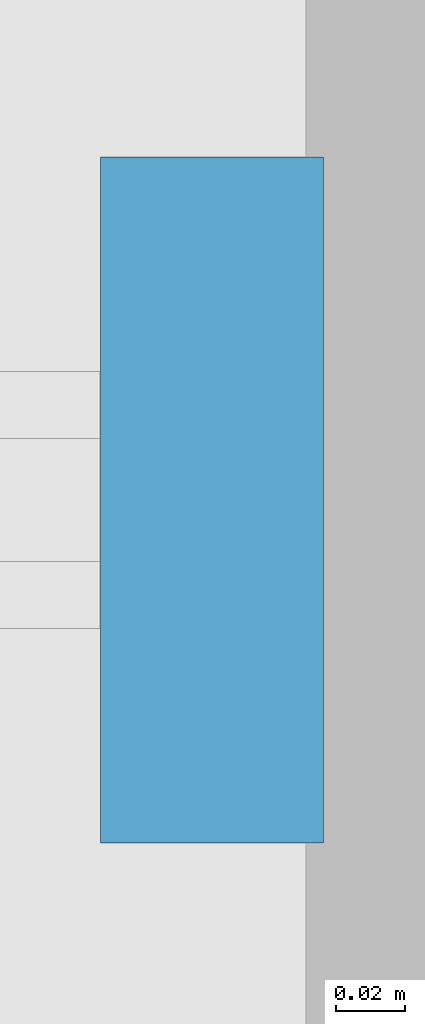
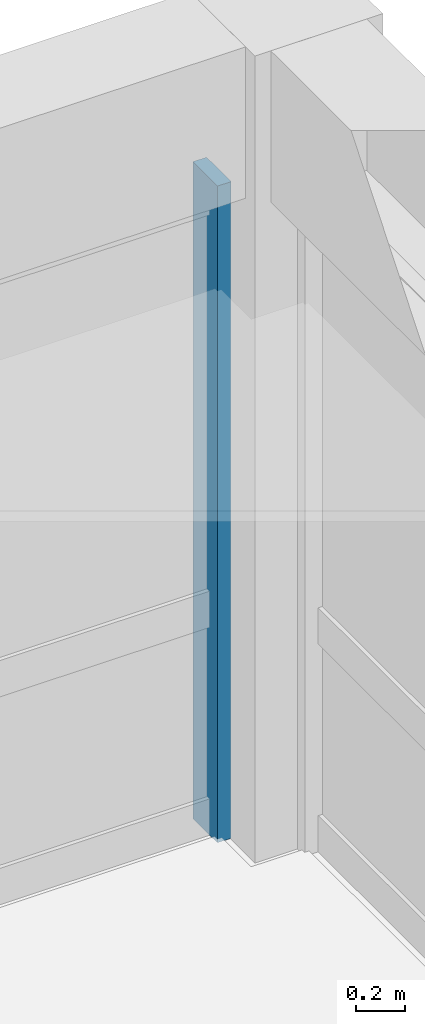
# One storey, part 7 of 14: 1 member, 1 element without a shape of its own.
"""IFC4 building model written with IfcOpenShell, lengths in metres."""

import ifcopenshell
import ifcopenshell.guid

model = None  # the IFC model being written
_history = None  # IfcOwnerHistory: only IFC2X3 demands one
_inside = {}  # id of a spatial element -> (the spatial element, [elements in it])
_under = {}  # id of a project, library or spatial element -> (it, [spatial elements below it])
_declared = {}  # id of a project -> (the project, [libraries it declares])
_typed = {}  # id of a type object -> (the type object, [elements of that type])
_made_of = {}  # id of a material, layer set ... -> (it, [elements and type objects made of it])


def new_model(schema):
    """Start an empty IFC model of exactly this schema.

    Asked for "IFC4X3", IfcOpenShell would pick the latest addendum, in which some entities
    have other attributes; the version numbers below select the first issue.
    IFC2X3 requires an IfcOwnerHistory on every rooted entity: one is made here for all.
    """
    global model, _history
    if schema == "IFC4X3":
        model = ifcopenshell.file(schema_version=(4, 3, 0, 0))
    else:
        model = ifcopenshell.file(schema=schema)
    _inside.clear()
    _under.clear()
    _declared.clear()
    _typed.clear()
    _made_of.clear()
    _history = None
    if model.schema == "IFC2X3":
        org = make("IfcOrganization", Name="unknown")
        user = make(
            "IfcPersonAndOrganization",
            ThePerson=make("IfcPerson", FamilyName="unknown"),
            TheOrganization=org,
        )
        app = make(
            "IfcApplication",
            ApplicationDeveloper=org,
            Version="unknown",
            ApplicationFullName="unknown",
            ApplicationIdentifier="unknown",
        )
        _history = make(
            "IfcOwnerHistory",
            OwningUser=user,
            OwningApplication=app,
            ChangeAction="ADDED",
            CreationDate=0,
        )
    return model


def make(cls, **values):
    """One entity of the class cls with the attributes given. An attribute that is None is left unset."""
    return model.create_entity(
        cls, **{name: value for name, value in values.items() if value is not None}
    )


def rooted(cls, **values):
    """An entity with a GlobalId (a new one), such as an element, a storey or a relation."""
    return make(cls, GlobalId=ifcopenshell.guid.new(), OwnerHistory=_history, **values)


def si_unit(unit_type, name, prefix=None):
    """IfcSIUnit, for example si_unit("LENGTHUNIT", "METRE", prefix="MILLI")."""
    return make("IfcSIUnit", UnitType=unit_type, Prefix=prefix, Name=name)


def assignment(units):
    """IfcUnitAssignment: the units of a project."""
    return None if units is None else make("IfcUnitAssignment", Units=units)


def point(xyz):
    """IfcCartesianPoint."""
    return None if xyz is None else make("IfcCartesianPoint", Coordinates=xyz)


def direction(xyz):
    """IfcDirection."""
    return None if xyz is None else make("IfcDirection", DirectionRatios=xyz)


def frame(location, z_axis=None, x_axis=None):
    """IfcAxis2Placement3D, a coordinate frame: its origin and axes. An axis left out is left unset."""
    return make(
        "IfcAxis2Placement3D",
        Location=point(location),
        Axis=direction(z_axis),
        RefDirection=direction(x_axis),
    )


def frame_2d(location, x_axis=None):
    """IfcAxis2Placement2D, a coordinate frame in the plane: its origin and x axis."""
    return make(
        "IfcAxis2Placement2D", Location=point(location), RefDirection=direction(x_axis)
    )


def origin():
    """The frame at (0, 0, 0) with its axes left unset."""
    return frame((0.0, 0.0, 0.0))


def origin_2d():
    """The frame at (0, 0) in the plane with its x axis left unset."""
    return frame_2d((0.0, 0.0))


def place(relative_to, where):
    """IfcLocalPlacement: puts the frame where relative to a parent placement (None: the world)."""
    return make(
        "IfcLocalPlacement", PlacementRelTo=relative_to, RelativePlacement=where
    )


def context(
    kind, dimensions, precision=None, world=None, true_north=None, identifier=None
):
    """IfcGeometricRepresentationContext, for example the 3D "Model" context."""
    return make(
        "IfcGeometricRepresentationContext",
        ContextIdentifier=identifier,
        ContextType=kind,
        CoordinateSpaceDimension=dimensions,
        Precision=precision,
        WorldCoordinateSystem=world,
        TrueNorth=true_north,
    )


def subcontext(parent, identifier, kind, view, scale=None):
    """IfcGeometricRepresentationSubContext, for example "Body" below "Model"."""
    return make(
        "IfcGeometricRepresentationSubContext",
        ContextIdentifier=identifier,
        ContextType=kind,
        ParentContext=parent,
        TargetScale=scale,
        TargetView=view,
    )


def project(units=None, contexts=None):
    """IfcProject with its units and contexts."""
    return rooted(
        "IfcProject",
        Name="project",
        RepresentationContexts=contexts,
        UnitsInContext=assignment(units),
    )


def spatial(cls, under=None, at=None, **own):
    """A site, building, storey or space (cls), placed at a placement, below another one or the project."""
    s = rooted(cls, ObjectPlacement=at, **own)
    if under is not None:
        _under.setdefault(under.id(), (under, []))[1].append(s)
    return s


def profile(cls, at=None, kind="AREA", **sizes):
    """A parametric profile (cls). Its sizes go by their IFC names, for example OverallWidth=200.0."""
    return make(cls, ProfileType=kind, Position=at, **sizes)


def rectangle(**sizes):
    """IfcRectangleProfileDef."""
    return profile("IfcRectangleProfileDef", **sizes)


def extrude(swept, where, along, depth):
    """IfcExtrudedAreaSolid: the profile swept, set in the frame where, extruded along a direction by depth."""
    return make(
        "IfcExtrudedAreaSolid",
        SweptArea=swept,
        Position=where,
        ExtrudedDirection=direction(along),
        Depth=depth,
    )


def shape(context_of_items, identifier, shape_type, items):
    """IfcShapeRepresentation: the items that make up one representation, for example the "Body"."""
    return make(
        "IfcShapeRepresentation",
        ContextOfItems=context_of_items,
        RepresentationIdentifier=identifier,
        RepresentationType=shape_type,
        Items=items,
    )


def material(Name=None, Category=None):
    """IfcMaterial."""
    return make("IfcMaterial", Name=Name, Category=Category)


def material_profile(
    of_material, cross_section, Name=None, Category=None, Priority=None
):
    """IfcMaterialProfile: a cross section and its material."""
    return make(
        "IfcMaterialProfile",
        Name=Name,
        Material=of_material,
        Profile=cross_section,
        Priority=Priority,
        Category=Category,
    )


def profile_set(profiles, Name=None, composite=None):
    """IfcMaterialProfileSet."""
    return make(
        "IfcMaterialProfileSet",
        Name=Name,
        MaterialProfiles=profiles,
        CompositeProfile=composite,
    )


def made_of(thing, what):
    """Note that an element or type object is made of a material, layer set ...; save() writes the relation."""
    if what is not None:
        _made_of.setdefault(what.id(), (what, []))[1].append(thing)
    return thing


def type_object(cls, material=None, **own):
    """A type object (cls), such as IfcWallType, which elements share."""
    return made_of(rooted(cls, **own), material)


def element(
    cls,
    number,
    at=None,
    inside=None,
    cuts=None,
    type_object=None,
    material=None,
    context=None,
    identifier="Body",
    shape_type=None,
    held_by="IfcProductDefinitionShape",
    body=None,
    shapes=None,
    **own,
):
    """One element of the class cls, such as IfcWall. Its Tag is "e" and its number.

    at: its placement. inside: the storey or other place that contains it. cuts: it is an
    opening in that element (IfcRelVoidsElement). A single representation is given by context,
    identifier, shape_type and body (its items); several are given by shapes. held_by: the class
    of the entity that holds the representations. save() writes the other relations.
    """
    e = rooted(cls, Tag="e%d" % number, ObjectPlacement=at, **own)
    if body is not None:
        shapes = [shape(context, identifier, shape_type, body)]
    if shapes is not None:
        e.Representation = make(held_by, Representations=shapes)
    if inside is not None:
        _inside.setdefault(inside.id(), (inside, []))[1].append(e)
    if cuts is not None:
        rooted(
            "IfcRelVoidsElement", RelatingBuildingElement=cuts, RelatedOpeningElement=e
        )
    if type_object is not None:
        _typed.setdefault(type_object.id(), (type_object, []))[1].append(e)
    return made_of(e, material)


def aggregate(whole, parts):
    """IfcRelAggregates: a whole, such as a stair, and the parts it consists of."""
    return rooted("IfcRelAggregates", RelatingObject=whole, RelatedObjects=parts)


def save(model, path):
    """Write the relations noted so far, then the file.

    IfcRelAggregates (storeys below a building ...), IfcRelContainedInSpatialStructure (elements
    in a storey), IfcRelDefinesByType, IfcRelAssociatesMaterial and IfcRelDeclares: one each for
    every whole, place, type object, material and project.
    """
    for whole, parts in _under.values():
        aggregate(whole, parts)
    for where, things in _inside.values():
        rooted(
            "IfcRelContainedInSpatialStructure",
            RelatedElements=things,
            RelatingStructure=where,
        )
    for kind, things in _typed.values():
        rooted("IfcRelDefinesByType", RelatedObjects=things, RelatingType=kind)
    for what, things in _made_of.values():
        rooted("IfcRelAssociatesMaterial", RelatedObjects=things, RelatingMaterial=what)
    for by, libraries in _declared.values():
        rooted("IfcRelDeclares", RelatingContext=by, RelatedDefinitions=libraries)
    model.write(path)


model = new_model("IFC4")

# Units and contexts
model_context = context("Model", 3, precision=1e-05, world=origin(), true_north=direction((0.0, 1.0)))
body_context = subcontext(model_context, "Body", "Model", "MODEL_VIEW")
ifc_project = project(units=[si_unit("LENGTHUNIT", "METRE"), si_unit("AREAUNIT", "SQUARE_METRE"), si_unit("VOLUMEUNIT", "CUBIC_METRE"), si_unit("PLANEANGLEUNIT", "RADIAN"), si_unit("MASSUNIT", "GRAM", prefix="KILO")], contexts=[model_context])

# Site, building, storey
site_placement = place(None, origin())
site = spatial("IfcSite", under=ifc_project, at=site_placement, CompositionType="ELEMENT")
building_placement = place(site_placement, origin())
building = spatial("IfcBuilding", under=site, at=building_placement, Name="Kemercrest Conservatory and Botanical Centre", CompositionType="ELEMENT")
storey_placement = place(building_placement, frame((0.0, 0.0, 59.800048828125)))
storey = spatial("IfcBuildingStorey", under=building, at=storey_placement, Name="L15", CompositionType="ELEMENT", Elevation=59.800048828125)

# Curtain wall, member
ifc_material_1 = material(Name="Thermally broken aluminium and triple low-e glazing", Category="aluminium")
curtain_wall_type = type_object("IfcCurtainWallType", Name="CW-04", PredefinedType="USERDEFINED", material=ifc_material_1)
curtain_wall_placement = place(storey_placement, origin())
curtain_wall = element("IfcCurtainWall", 1, at=curtain_wall_placement, inside=storey, type_object=curtain_wall_type, Name="Unitised curtain wall CW-04 (CW:L15:V4-153)", ObjectType="UNITISED CURTAIN WALL", PredefinedType="USERDEFINED")
ifc_material_2 = material(Name="Thermally broken anodized aluminium 6063-T6", Category="aluminium")
ifc_material_profile = material_profile(ifc_material_2, rectangle(XDim=0.199951171875, YDim=0.06494140625, at=origin_2d()), Name="AL MULLION 65x200")
ifc_profile_set = profile_set([ifc_material_profile], Name="Thermally broken anodized aluminium 6063-T6")
member_type = type_object("IfcMemberType", Name="CW-M200", PredefinedType="MULLION", material=ifc_profile_set)
member_placement = place(storey_placement, frame((175.672607421875, 122.39990234375, 0.0), z_axis=(0.0, 0.0, 1.0), x_axis=(0.0, -1.0, 0.0)))
member = element("IfcMember", 2, at=member_placement, type_object=member_type, Name="CW-04 mullion 1", PredefinedType="MULLION", context=body_context, shape_type="SweptSolid", body=[
    extrude(rectangle(XDim=0.199951171875, YDim=0.06494140625, at=origin_2d()), origin(), (0.0, 0.0, 1.0), 3.2548828125),
])
aggregate(curtain_wall, [member])

save(model, "model.ifc")
